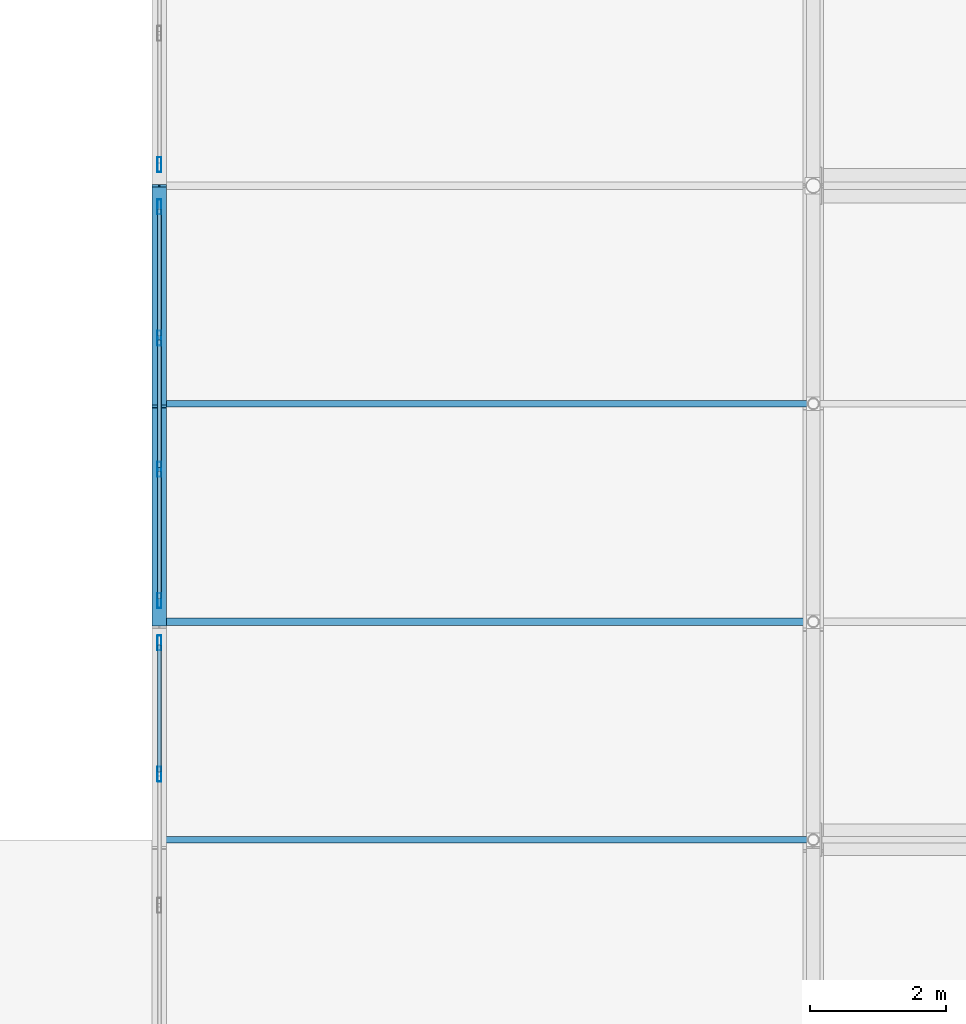
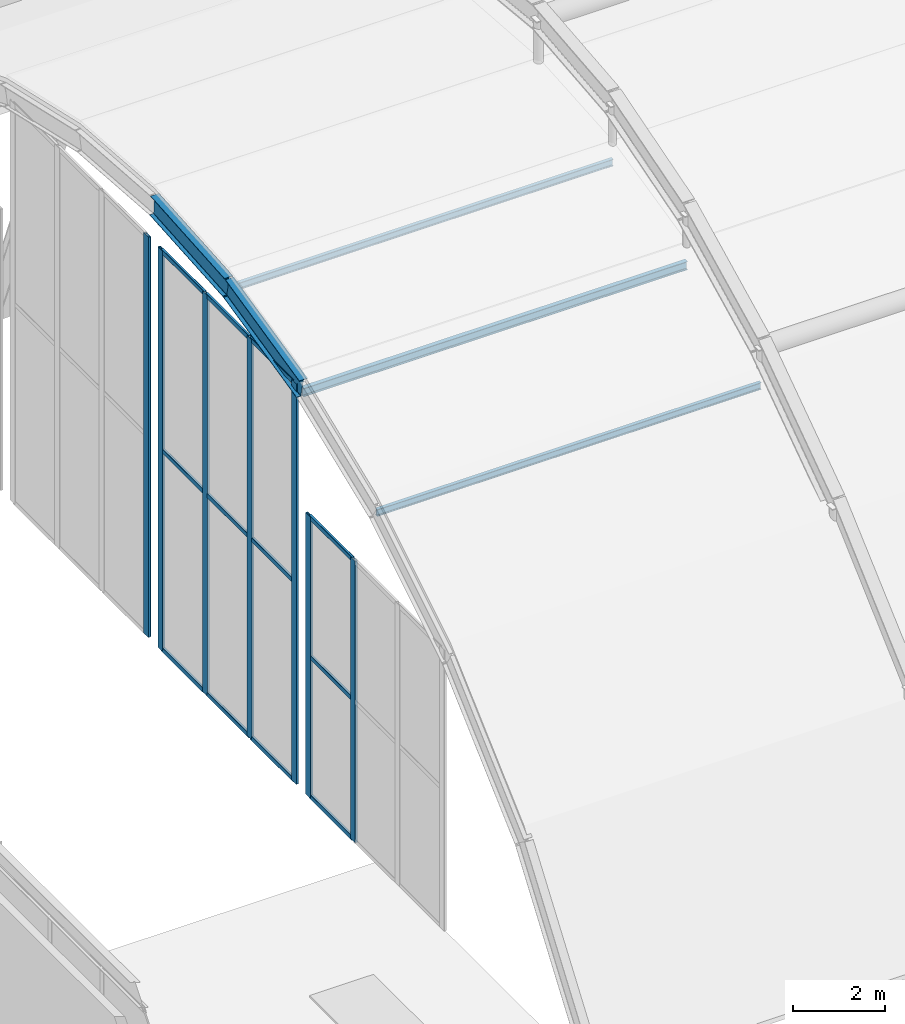
# One storey, part 41 of 126: 22 members, 2 beams, 3 elements without a shape of their own.
"""IFC4 building model written with IfcOpenShell, lengths in metres."""

from ifc_helpers import new_model, si_unit, direction, frame, origin, origin_2d, place, context, subcontext, project, spatial, hollow_rectangle, i_section, extrude, material, material_profile, profile_set, type_object, element, aggregate, save


model = new_model("IFC4")

# Units and contexts
model_context = context("Model", 3, precision=1e-05, world=origin(), true_north=direction((0.0, 1.0)))
body_context = subcontext(model_context, "Body", "Model", "MODEL_VIEW")
ifc_project = project(units=[si_unit("LENGTHUNIT", "METRE"), si_unit("AREAUNIT", "SQUARE_METRE"), si_unit("VOLUMEUNIT", "CUBIC_METRE"), si_unit("PLANEANGLEUNIT", "RADIAN"), si_unit("MASSUNIT", "GRAM", prefix="KILO")], contexts=[model_context])

# Site, building, storey
site_placement = place(None, origin())
site = spatial("IfcSite", under=ifc_project, at=site_placement, CompositionType="ELEMENT")
building_placement = place(site_placement, origin())
building = spatial("IfcBuilding", under=site, at=building_placement, Name="Coralgate Yard Interchange", CompositionType="ELEMENT")
storey_placement = place(building_placement, frame((0.0, 0.0, 10.5)))
storey = spatial("IfcBuildingStorey", under=building, at=storey_placement, Name="L02", CompositionType="ELEMENT", Elevation=10.5)

# Beams
ifc_material_1 = material(Name="Weather-coated structural steel S355J2", Category="steel")
ifc_material_profile_1 = material_profile(ifc_material_1, i_section(OverallWidth=0.209228515625, OverallDepth=0.533203125, WebThickness=0.010009765625, FlangeThickness=0.015625, FilletRadius=0.0126953125, at=origin_2d()), Name="UB 533x210x92")
ifc_profile_set_1 = profile_set([ifc_material_profile_1], Name="Weather-coated structural steel S355J2")
beam_type = type_object("IfcBeamType", Name="BM-VR-1", PredefinedType="BEAM", material=ifc_profile_set_1)
beam_1_placement = place(storey_placement, frame((38.39990234375, 51.199951171875, 10.58349609375), z_axis=(0.0, 0.974597563071, 0.223963367664), x_axis=(-1.0, 0.0, 0.0)))
element("IfcBeam", 1, at=beam_1_placement, inside=storey, type_object=beam_type, Name="Barrel-vault gridshell rib 1 seg 5", PredefinedType="BEAM", context=body_context, shape_type="SweptSolid", body=[
    extrude(i_section(OverallWidth=0.209228515625, OverallDepth=0.533203125, WebThickness=0.010009765625, FlangeThickness=0.015625, FilletRadius=0.0126953125, at=origin_2d()), origin(), (0.0, 0.0, 1.0), 3.283447265625),
])
beam_2_placement = place(storey_placement, frame((38.39990234375, 54.39990234375, 11.31884765625), z_axis=(0.0, 0.997211212266, 0.074631080198), x_axis=(-1.0, 0.0, 0.0)))
element("IfcBeam", 2, at=beam_2_placement, inside=storey, type_object=beam_type, Name="Barrel-vault gridshell rib 1 seg 6", PredefinedType="BEAM", context=body_context, shape_type="SweptSolid", body=[
    extrude(i_section(OverallWidth=0.209228515625, OverallDepth=0.533203125, WebThickness=0.010009765625, FlangeThickness=0.015625, FilletRadius=0.0126953125, at=origin_2d()), origin(), (0.0, 0.0, 1.0), 3.209228515625),
])

# Curtain wall, members
ifc_material_2 = material(Name="Anodised coastal aluminium and solar-control low-E glass", Category="aluminium")
curtain_wall_type_1 = type_object("IfcCurtainWallType", Name="CW-CW-VLT-2", PredefinedType="NOTDEFINED", material=ifc_material_2)
curtain_wall_1_placement = place(storey_placement, origin())
curtain_wall_1 = element("IfcCurtainWall", 3, at=curtain_wall_1_placement, inside=storey, type_object=curtain_wall_type_1, Name="L02 unitised curtain wall CW-VAULT-W-2", PredefinedType="NOTDEFINED")
ifc_material_3 = material(Name="Anodised coastal aluminium 6063-T6", Category="aluminium")
ifc_material_profile_2 = material_profile(ifc_material_3, hollow_rectangle(XDim=0.06005859375, YDim=0.219970703125, WallThickness=0.00390625, InnerFilletRadius=0.00390625, OuterFilletRadius=0.008056640625, at=origin_2d()), Name="ALU 60x220x4")
ifc_profile_set_2 = profile_set([ifc_material_profile_2], Name="Anodised coastal aluminium 6063-T6")
member_type_1 = type_object("IfcMemberType", Name="MB-MUL-220", PredefinedType="MULLION", material=ifc_profile_set_2)
member_1_placement = place(storey_placement, frame((38.39990234375, 48.96337890625, 0.0), z_axis=(0.0, 0.0, 1.0), x_axis=(1.0, 0.0, 0.0)))
member_1 = element("IfcMember", 4, at=member_1_placement, type_object=member_type_1, Name="CW-VAULT-W-2 vertical mullion 3", PredefinedType="MULLION", context=body_context, shape_type="SweptSolid", body=[
    extrude(hollow_rectangle(XDim=0.06005859375, YDim=0.219970703125, WallThickness=0.00390625, InnerFilletRadius=0.00390625, OuterFilletRadius=0.008056640625, at=origin_2d()), origin(), (0.0, 0.0, 1.0), 7.431884765625),
])
member_2_placement = place(storey_placement, frame((38.39990234375, 50.889892578125, 0.0), z_axis=(0.0, 0.0, 1.0), x_axis=(1.0, 0.0, 0.0)))
member_2 = element("IfcMember", 5, at=member_2_placement, type_object=member_type_1, Name="CW-VAULT-W-2 vertical mullion 4", PredefinedType="MULLION", context=body_context, shape_type="SweptSolid", body=[
    extrude(hollow_rectangle(XDim=0.06005859375, YDim=0.219970703125, WallThickness=0.00390625, InnerFilletRadius=0.00390625, OuterFilletRadius=0.008056640625, at=origin_2d()), origin(), (0.0, 0.0, 1.0), 7.431884765625),
])

curtain_wall_type_2 = type_object("IfcCurtainWallType", Name="CW-CW-VLT-3", PredefinedType="NOTDEFINED", material=ifc_material_2)
curtain_wall_2_placement = place(storey_placement, origin())
curtain_wall_2 = element("IfcCurtainWall", 6, at=curtain_wall_2_placement, inside=storey, type_object=curtain_wall_type_2, Name="L02 unitised curtain wall CW-VAULT-W-3", PredefinedType="NOTDEFINED")
member_3_placement = place(storey_placement, frame((38.39990234375, 51.510009765625, 0.0), z_axis=(0.0, 0.0, 1.0), x_axis=(1.0, 0.0, 0.0)))
member_3 = element("IfcMember", 7, at=member_3_placement, type_object=member_type_1, Name="CW-VAULT-W-3 vertical mullion 1", PredefinedType="MULLION", context=body_context, shape_type="SweptSolid", body=[
    extrude(hollow_rectangle(XDim=0.06005859375, YDim=0.219970703125, WallThickness=0.00390625, InnerFilletRadius=0.00390625, OuterFilletRadius=0.008056640625, at=origin_2d()), origin(), (0.0, 0.0, 1.0), 10.575927734375),
])
member_4_placement = place(storey_placement, frame((38.39990234375, 53.436767578125, 0.0), z_axis=(0.0, 0.0, 1.0), x_axis=(1.0, 0.0, 0.0)))
member_4 = element("IfcMember", 8, at=member_4_placement, type_object=member_type_1, Name="CW-VAULT-W-3 vertical mullion 2", PredefinedType="MULLION", context=body_context, shape_type="SweptSolid", body=[
    extrude(hollow_rectangle(XDim=0.06005859375, YDim=0.219970703125, WallThickness=0.00390625, InnerFilletRadius=0.00390625, OuterFilletRadius=0.008056640625, at=origin_2d()), origin(), (0.0, 0.0, 1.0), 10.575927734375),
])
member_5_placement = place(storey_placement, frame((38.39990234375, 55.36328125, 0.0), z_axis=(0.0, 0.0, 1.0), x_axis=(1.0, 0.0, 0.0)))
member_5 = element("IfcMember", 9, at=member_5_placement, type_object=member_type_1, Name="CW-VAULT-W-3 vertical mullion 3", PredefinedType="MULLION", context=body_context, shape_type="SweptSolid", body=[
    extrude(hollow_rectangle(XDim=0.06005859375, YDim=0.219970703125, WallThickness=0.00390625, InnerFilletRadius=0.00390625, OuterFilletRadius=0.008056640625, at=origin_2d()), origin(), (0.0, 0.0, 1.0), 10.575927734375),
])
member_6_placement = place(storey_placement, frame((38.39990234375, 57.2900390625, 0.0), z_axis=(0.0, 0.0, 1.0), x_axis=(1.0, 0.0, 0.0)))
member_6 = element("IfcMember", 10, at=member_6_placement, type_object=member_type_1, Name="CW-VAULT-W-3 vertical mullion 4", PredefinedType="MULLION", context=body_context, shape_type="SweptSolid", body=[
    extrude(hollow_rectangle(XDim=0.06005859375, YDim=0.219970703125, WallThickness=0.00390625, InnerFilletRadius=0.00390625, OuterFilletRadius=0.008056640625, at=origin_2d()), origin(), (0.0, 0.0, 1.0), 10.575927734375),
])

# Curtain wall, member
curtain_wall_3_placement = place(storey_placement, origin())
curtain_wall_3 = element("IfcCurtainWall", 11, at=curtain_wall_3_placement, inside=storey, type_object=curtain_wall_type_2, Name="L02 unitised curtain wall CW-VAULT-W-4", PredefinedType="NOTDEFINED")
member_7_placement = place(storey_placement, frame((38.39990234375, 57.909912109375, 0.0), z_axis=(0.0, 0.0, 1.0), x_axis=(1.0, 0.0, 0.0)))
member_7 = element("IfcMember", 12, at=member_7_placement, type_object=member_type_1, Name="CW-VAULT-W-4 vertical mullion 1", PredefinedType="MULLION", context=body_context, shape_type="SweptSolid", body=[
    extrude(hollow_rectangle(XDim=0.06005859375, YDim=0.219970703125, WallThickness=0.00390625, InnerFilletRadius=0.00390625, OuterFilletRadius=0.008056640625, at=origin_2d()), origin(), (0.0, 0.0, 1.0), 10.575927734375),
])
aggregate(curtain_wall_3, [member_7])

# Members
ifc_material_profile_3 = material_profile(ifc_material_1, i_section(OverallWidth=0.110107421875, OverallDepth=0.219970703125, WebThickness=0.005859375, FlangeThickness=0.00927734375, FilletRadius=0.011962890625, at=origin_2d()), Name="IPE 220")
ifc_profile_set_3 = profile_set([ifc_material_profile_3], Name="Weather-coated structural steel S355J2")
member_type_2 = type_object("IfcMemberType", Name="MB-PR-1", PredefinedType="PURLIN", material=ifc_profile_set_3)
member_8_placement = place(storey_placement, frame((38.402099609375, 51.199951171875, 10.489990234375), z_axis=(1.0, 0.0, 0.0), x_axis=(0.0, 1.0, 0.0)))
element("IfcMember", 13, at=member_8_placement, inside=storey, type_object=member_type_2, Name="Barrel-vault gridshell purlin 1-5", PredefinedType="PURLIN", context=body_context, shape_type="SweptSolid", body=[
    extrude(i_section(OverallWidth=0.110107421875, OverallDepth=0.219970703125, WebThickness=0.005859375, FlangeThickness=0.00927734375, FilletRadius=0.011962890625, at=origin_2d()), origin(), (0.0, 0.0, 1.0), 9.595947265625),
])
ifc_material_4 = material(Name="Off-white architectural structural steel S355J2", Category="steel")
ifc_material_profile_4 = material_profile(ifc_material_4, i_section(OverallWidth=0.091064453125, OverallDepth=0.179931640625, WebThickness=0.00537109375, FlangeThickness=0.008056640625, FilletRadius=0.009033203125, at=origin_2d()), Name="IPE 180")
ifc_profile_set_4 = profile_set([ifc_material_profile_4], Name="Off-white architectural structural steel S355J2")
member_type_3 = type_object("IfcMemberType", Name="MB-PR-2", PredefinedType="PURLIN", material=ifc_profile_set_4)
for number, where, z_axis, x_axis, name in (
    (14, (38.402099609375, 48.0, 9.242431640625), (1.0, 0.0, 0.0), (0.0, 1.0, 0.0), "Barrel-vault gridshell purlin 1-4"),
    (15, (38.402099609375, 54.39990234375, 11.265380859375), (1.0, 0.0, 0.0), (0.0, 1.0, 0.0), "Barrel-vault gridshell purlin 1-6"),
):
    element("IfcMember", number, at=place(storey_placement, frame(where, z_axis=z_axis, x_axis=x_axis)), inside=storey, type_object=member_type_3, Name=name, PredefinedType="PURLIN", context=body_context, shape_type="SweptSolid", body=[
        extrude(i_section(OverallWidth=0.091064453125, OverallDepth=0.179931640625, WebThickness=0.00537109375, FlangeThickness=0.008056640625, FilletRadius=0.009033203125, at=origin_2d()), origin(), (0.0, 0.0, 1.0), 9.595947265625),
    ])

# Member
ifc_material_profile_5 = material_profile(ifc_material_3, hollow_rectangle(XDim=0.06005859375, YDim=0.1201171875, WallThickness=0.00341796875, InnerFilletRadius=0.00341796875, OuterFilletRadius=0.007080078125, at=origin_2d()), Name="ALU 60x120x3.5")
ifc_profile_set_5 = profile_set([ifc_material_profile_5], Name="Anodised coastal aluminium 6063-T6")
member_type_4 = type_object("IfcMemberType", Name="MB-TRN-120", PredefinedType="USERDEFINED", material=ifc_profile_set_5)
member_9_placement = place(storey_placement, frame((38.39990234375, 48.993408203125, 0.034912109375), z_axis=(0.0, 1.0, 0.0), x_axis=(-1.0, 0.0, 0.0)))
member_9 = element("IfcMember", 16, at=member_9_placement, type_object=member_type_4, Name="CW-VAULT-W-2 horizontal transom 3-1", ObjectType="TRANSOM", PredefinedType="USERDEFINED", context=body_context, shape_type="SweptSolid", body=[
    extrude(hollow_rectangle(XDim=0.06005859375, YDim=0.1201171875, WallThickness=0.00341796875, InnerFilletRadius=0.00341796875, OuterFilletRadius=0.007080078125, at=origin_2d()), origin(), (0.0, 0.0, 1.0), 1.86669921875),
])

member_10_placement = place(storey_placement, frame((38.39990234375, 48.993408203125, 3.716064453125), z_axis=(0.0, 1.0, 0.0), x_axis=(-1.0, 0.0, 0.0)))
member_10 = element("IfcMember", 17, at=member_10_placement, type_object=member_type_4, Name="CW-VAULT-W-2 horizontal transom 3-2", ObjectType="TRANSOM", PredefinedType="USERDEFINED", context=body_context, shape_type="SweptSolid", body=[
    extrude(hollow_rectangle(XDim=0.06005859375, YDim=0.1201171875, WallThickness=0.00341796875, InnerFilletRadius=0.00341796875, OuterFilletRadius=0.007080078125, at=origin_2d()), origin(), (0.0, 0.0, 1.0), 1.86669921875),
])

member_11_placement = place(storey_placement, frame((38.39990234375, 48.993408203125, 7.39697265625), z_axis=(0.0, 1.0, 0.0), x_axis=(-1.0, 0.0, 0.0)))
member_11 = element("IfcMember", 18, at=member_11_placement, type_object=member_type_4, Name="CW-VAULT-W-2 horizontal transom 3-3", ObjectType="TRANSOM", PredefinedType="USERDEFINED", context=body_context, shape_type="SweptSolid", body=[
    extrude(hollow_rectangle(XDim=0.06005859375, YDim=0.1201171875, WallThickness=0.00341796875, InnerFilletRadius=0.00341796875, OuterFilletRadius=0.007080078125, at=origin_2d()), origin(), (0.0, 0.0, 1.0), 1.86669921875),
])

aggregate(curtain_wall_1, [member_1, member_2, member_9, member_10, member_11])

member_12_placement = place(storey_placement, frame((38.39990234375, 51.5400390625, 0.034912109375), z_axis=(0.0, 1.0, 0.0), x_axis=(-1.0, 0.0, 0.0)))
member_12 = element("IfcMember", 19, at=member_12_placement, type_object=member_type_4, Name="CW-VAULT-W-3 horizontal transom 1-1", ObjectType="TRANSOM", PredefinedType="USERDEFINED", context=body_context, shape_type="SweptSolid", body=[
    extrude(hollow_rectangle(XDim=0.06005859375, YDim=0.1201171875, WallThickness=0.00341796875, InnerFilletRadius=0.00341796875, OuterFilletRadius=0.007080078125, at=origin_2d()), origin(), (0.0, 0.0, 1.0), 1.86669921875),
])

member_13_placement = place(storey_placement, frame((38.39990234375, 51.5400390625, 5.2880859375), z_axis=(0.0, 1.0, 0.0), x_axis=(-1.0, 0.0, 0.0)))
member_13 = element("IfcMember", 20, at=member_13_placement, type_object=member_type_4, Name="CW-VAULT-W-3 horizontal transom 1-2", ObjectType="TRANSOM", PredefinedType="USERDEFINED", context=body_context, shape_type="SweptSolid", body=[
    extrude(hollow_rectangle(XDim=0.06005859375, YDim=0.1201171875, WallThickness=0.00341796875, InnerFilletRadius=0.00341796875, OuterFilletRadius=0.007080078125, at=origin_2d()), origin(), (0.0, 0.0, 1.0), 1.86669921875),
])

member_14_placement = place(storey_placement, frame((38.39990234375, 51.5400390625, 10.541015625), z_axis=(0.0, 1.0, 0.0), x_axis=(-1.0, 0.0, 0.0)))
member_14 = element("IfcMember", 21, at=member_14_placement, type_object=member_type_4, Name="CW-VAULT-W-3 horizontal transom 1-3", ObjectType="TRANSOM", PredefinedType="USERDEFINED", context=body_context, shape_type="SweptSolid", body=[
    extrude(hollow_rectangle(XDim=0.06005859375, YDim=0.1201171875, WallThickness=0.00341796875, InnerFilletRadius=0.00341796875, OuterFilletRadius=0.007080078125, at=origin_2d()), origin(), (0.0, 0.0, 1.0), 1.86669921875),
])

member_15_placement = place(storey_placement, frame((38.39990234375, 53.466552734375, 0.034912109375), z_axis=(0.0, 1.0, 0.0), x_axis=(-1.0, 0.0, 0.0)))
member_15 = element("IfcMember", 22, at=member_15_placement, type_object=member_type_4, Name="CW-VAULT-W-3 horizontal transom 2-1", ObjectType="TRANSOM", PredefinedType="USERDEFINED", context=body_context, shape_type="SweptSolid", body=[
    extrude(hollow_rectangle(XDim=0.06005859375, YDim=0.1201171875, WallThickness=0.00341796875, InnerFilletRadius=0.00341796875, OuterFilletRadius=0.007080078125, at=origin_2d()), origin(), (0.0, 0.0, 1.0), 1.86669921875),
])

member_16_placement = place(storey_placement, frame((38.39990234375, 53.466552734375, 5.2880859375), z_axis=(0.0, 1.0, 0.0), x_axis=(-1.0, 0.0, 0.0)))
member_16 = element("IfcMember", 23, at=member_16_placement, type_object=member_type_4, Name="CW-VAULT-W-3 horizontal transom 2-2", ObjectType="TRANSOM", PredefinedType="USERDEFINED", context=body_context, shape_type="SweptSolid", body=[
    extrude(hollow_rectangle(XDim=0.06005859375, YDim=0.1201171875, WallThickness=0.00341796875, InnerFilletRadius=0.00341796875, OuterFilletRadius=0.007080078125, at=origin_2d()), origin(), (0.0, 0.0, 1.0), 1.86669921875),
])

member_17_placement = place(storey_placement, frame((38.39990234375, 53.466552734375, 10.541015625), z_axis=(0.0, 1.0, 0.0), x_axis=(-1.0, 0.0, 0.0)))
member_17 = element("IfcMember", 24, at=member_17_placement, type_object=member_type_4, Name="CW-VAULT-W-3 horizontal transom 2-3", ObjectType="TRANSOM", PredefinedType="USERDEFINED", context=body_context, shape_type="SweptSolid", body=[
    extrude(hollow_rectangle(XDim=0.06005859375, YDim=0.1201171875, WallThickness=0.00341796875, InnerFilletRadius=0.00341796875, OuterFilletRadius=0.007080078125, at=origin_2d()), origin(), (0.0, 0.0, 1.0), 1.86669921875),
])

member_18_placement = place(storey_placement, frame((38.39990234375, 55.393310546875, 0.034912109375), z_axis=(0.0, 1.0, 0.0), x_axis=(-1.0, 0.0, 0.0)))
member_18 = element("IfcMember", 25, at=member_18_placement, type_object=member_type_4, Name="CW-VAULT-W-3 horizontal transom 3-1", ObjectType="TRANSOM", PredefinedType="USERDEFINED", context=body_context, shape_type="SweptSolid", body=[
    extrude(hollow_rectangle(XDim=0.06005859375, YDim=0.1201171875, WallThickness=0.00341796875, InnerFilletRadius=0.00341796875, OuterFilletRadius=0.007080078125, at=origin_2d()), origin(), (0.0, 0.0, 1.0), 1.86669921875),
])

member_19_placement = place(storey_placement, frame((38.39990234375, 55.393310546875, 5.2880859375), z_axis=(0.0, 1.0, 0.0), x_axis=(-1.0, 0.0, 0.0)))
member_19 = element("IfcMember", 26, at=member_19_placement, type_object=member_type_4, Name="CW-VAULT-W-3 horizontal transom 3-2", ObjectType="TRANSOM", PredefinedType="USERDEFINED", context=body_context, shape_type="SweptSolid", body=[
    extrude(hollow_rectangle(XDim=0.06005859375, YDim=0.1201171875, WallThickness=0.00341796875, InnerFilletRadius=0.00341796875, OuterFilletRadius=0.007080078125, at=origin_2d()), origin(), (0.0, 0.0, 1.0), 1.86669921875),
])

member_20_placement = place(storey_placement, frame((38.39990234375, 55.393310546875, 10.541015625), z_axis=(0.0, 1.0, 0.0), x_axis=(-1.0, 0.0, 0.0)))
member_20 = element("IfcMember", 27, at=member_20_placement, type_object=member_type_4, Name="CW-VAULT-W-3 horizontal transom 3-3", ObjectType="TRANSOM", PredefinedType="USERDEFINED", context=body_context, shape_type="SweptSolid", body=[
    extrude(hollow_rectangle(XDim=0.06005859375, YDim=0.1201171875, WallThickness=0.00341796875, InnerFilletRadius=0.00341796875, OuterFilletRadius=0.007080078125, at=origin_2d()), origin(), (0.0, 0.0, 1.0), 1.86669921875),
])

aggregate(curtain_wall_2, [member_3, member_4, member_5, member_6, member_12, member_13, member_14, member_15, member_16, member_17, member_18, member_19, member_20])

save(model, "model.ifc")
